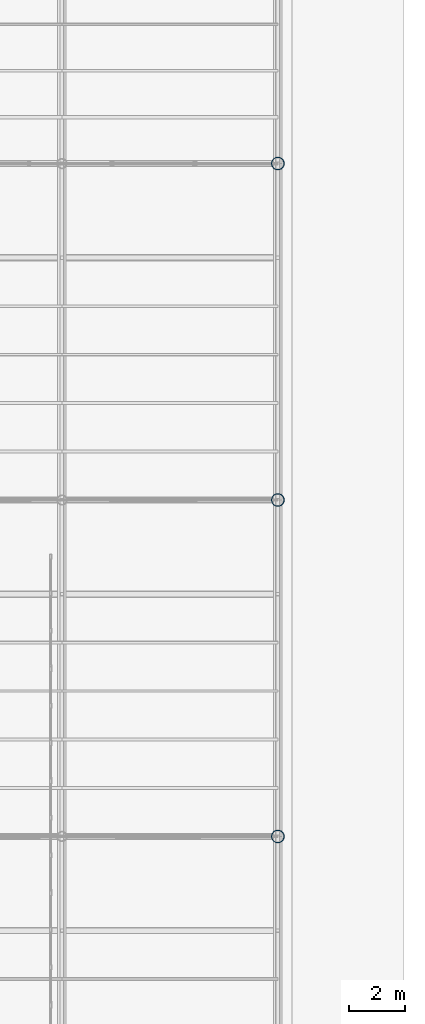
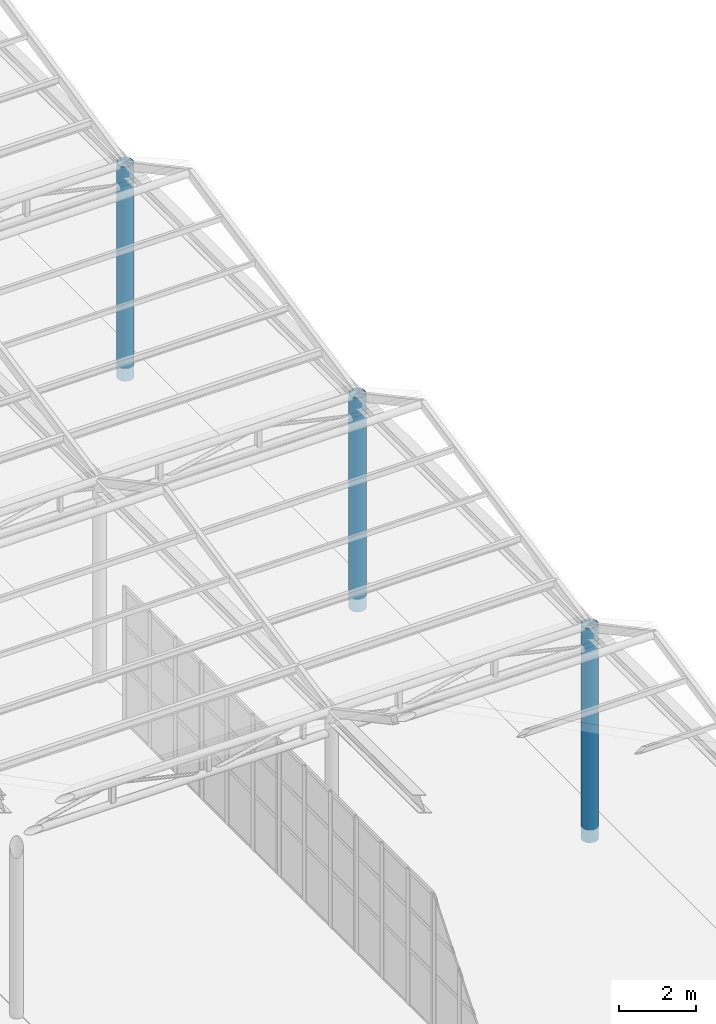
# One storey, part 16 of 118: 3 columns.
"""IFC4 building model written with IfcOpenShell, lengths in metres."""

import ifcopenshell
import ifcopenshell.guid

model = None  # the IFC model being written
_history = None  # IfcOwnerHistory: only IFC2X3 demands one
_inside = {}  # id of a spatial element -> (the spatial element, [elements in it])
_under = {}  # id of a project, library or spatial element -> (it, [spatial elements below it])
_declared = {}  # id of a project -> (the project, [libraries it declares])
_typed = {}  # id of a type object -> (the type object, [elements of that type])
_made_of = {}  # id of a material, layer set ... -> (it, [elements and type objects made of it])


def new_model(schema):
    """Start an empty IFC model of exactly this schema.

    Asked for "IFC4X3", IfcOpenShell would pick the latest addendum, in which some entities
    have other attributes; the version numbers below select the first issue.
    IFC2X3 requires an IfcOwnerHistory on every rooted entity: one is made here for all.
    """
    global model, _history
    if schema == "IFC4X3":
        model = ifcopenshell.file(schema_version=(4, 3, 0, 0))
    else:
        model = ifcopenshell.file(schema=schema)
    _inside.clear()
    _under.clear()
    _declared.clear()
    _typed.clear()
    _made_of.clear()
    _history = None
    if model.schema == "IFC2X3":
        org = make("IfcOrganization", Name="unknown")
        user = make(
            "IfcPersonAndOrganization",
            ThePerson=make("IfcPerson", FamilyName="unknown"),
            TheOrganization=org,
        )
        app = make(
            "IfcApplication",
            ApplicationDeveloper=org,
            Version="unknown",
            ApplicationFullName="unknown",
            ApplicationIdentifier="unknown",
        )
        _history = make(
            "IfcOwnerHistory",
            OwningUser=user,
            OwningApplication=app,
            ChangeAction="ADDED",
            CreationDate=0,
        )
    return model


def make(cls, **values):
    """One entity of the class cls with the attributes given. An attribute that is None is left unset."""
    return model.create_entity(
        cls, **{name: value for name, value in values.items() if value is not None}
    )


def rooted(cls, **values):
    """An entity with a GlobalId (a new one), such as an element, a storey or a relation."""
    return make(cls, GlobalId=ifcopenshell.guid.new(), OwnerHistory=_history, **values)


def si_unit(unit_type, name, prefix=None):
    """IfcSIUnit, for example si_unit("LENGTHUNIT", "METRE", prefix="MILLI")."""
    return make("IfcSIUnit", UnitType=unit_type, Prefix=prefix, Name=name)


def assignment(units):
    """IfcUnitAssignment: the units of a project."""
    return None if units is None else make("IfcUnitAssignment", Units=units)


def point(xyz):
    """IfcCartesianPoint."""
    return None if xyz is None else make("IfcCartesianPoint", Coordinates=xyz)


def direction(xyz):
    """IfcDirection."""
    return None if xyz is None else make("IfcDirection", DirectionRatios=xyz)


def frame(location, z_axis=None, x_axis=None):
    """IfcAxis2Placement3D, a coordinate frame: its origin and axes. An axis left out is left unset."""
    return make(
        "IfcAxis2Placement3D",
        Location=point(location),
        Axis=direction(z_axis),
        RefDirection=direction(x_axis),
    )


def frame_2d(location, x_axis=None):
    """IfcAxis2Placement2D, a coordinate frame in the plane: its origin and x axis."""
    return make(
        "IfcAxis2Placement2D", Location=point(location), RefDirection=direction(x_axis)
    )


def origin():
    """The frame at (0, 0, 0) with its axes left unset."""
    return frame((0.0, 0.0, 0.0))


def origin_2d():
    """The frame at (0, 0) in the plane with its x axis left unset."""
    return frame_2d((0.0, 0.0))


def place(relative_to, where):
    """IfcLocalPlacement: puts the frame where relative to a parent placement (None: the world)."""
    return make(
        "IfcLocalPlacement", PlacementRelTo=relative_to, RelativePlacement=where
    )


def context(
    kind, dimensions, precision=None, world=None, true_north=None, identifier=None
):
    """IfcGeometricRepresentationContext, for example the 3D "Model" context."""
    return make(
        "IfcGeometricRepresentationContext",
        ContextIdentifier=identifier,
        ContextType=kind,
        CoordinateSpaceDimension=dimensions,
        Precision=precision,
        WorldCoordinateSystem=world,
        TrueNorth=true_north,
    )


def subcontext(parent, identifier, kind, view, scale=None):
    """IfcGeometricRepresentationSubContext, for example "Body" below "Model"."""
    return make(
        "IfcGeometricRepresentationSubContext",
        ContextIdentifier=identifier,
        ContextType=kind,
        ParentContext=parent,
        TargetScale=scale,
        TargetView=view,
    )


def project(units=None, contexts=None):
    """IfcProject with its units and contexts."""
    return rooted(
        "IfcProject",
        Name="project",
        RepresentationContexts=contexts,
        UnitsInContext=assignment(units),
    )


def spatial(cls, under=None, at=None, **own):
    """A site, building, storey or space (cls), placed at a placement, below another one or the project."""
    s = rooted(cls, ObjectPlacement=at, **own)
    if under is not None:
        _under.setdefault(under.id(), (under, []))[1].append(s)
    return s


def profile(cls, at=None, kind="AREA", **sizes):
    """A parametric profile (cls). Its sizes go by their IFC names, for example OverallWidth=200.0."""
    return make(cls, ProfileType=kind, Position=at, **sizes)


def hollow_circle(**sizes):
    """IfcCircleHollowProfileDef."""
    return profile("IfcCircleHollowProfileDef", **sizes)


def extrude(swept, where, along, depth):
    """IfcExtrudedAreaSolid: the profile swept, set in the frame where, extruded along a direction by depth."""
    return make(
        "IfcExtrudedAreaSolid",
        SweptArea=swept,
        Position=where,
        ExtrudedDirection=direction(along),
        Depth=depth,
    )


def shape(context_of_items, identifier, shape_type, items):
    """IfcShapeRepresentation: the items that make up one representation, for example the "Body"."""
    return make(
        "IfcShapeRepresentation",
        ContextOfItems=context_of_items,
        RepresentationIdentifier=identifier,
        RepresentationType=shape_type,
        Items=items,
    )


def material(Name=None, Category=None):
    """IfcMaterial."""
    return make("IfcMaterial", Name=Name, Category=Category)


def material_profile(
    of_material, cross_section, Name=None, Category=None, Priority=None
):
    """IfcMaterialProfile: a cross section and its material."""
    return make(
        "IfcMaterialProfile",
        Name=Name,
        Material=of_material,
        Profile=cross_section,
        Priority=Priority,
        Category=Category,
    )


def profile_set(profiles, Name=None, composite=None):
    """IfcMaterialProfileSet."""
    return make(
        "IfcMaterialProfileSet",
        Name=Name,
        MaterialProfiles=profiles,
        CompositeProfile=composite,
    )


def made_of(thing, what):
    """Note that an element or type object is made of a material, layer set ...; save() writes the relation."""
    if what is not None:
        _made_of.setdefault(what.id(), (what, []))[1].append(thing)
    return thing


def type_object(cls, material=None, **own):
    """A type object (cls), such as IfcWallType, which elements share."""
    return made_of(rooted(cls, **own), material)


def element(
    cls,
    number,
    at=None,
    inside=None,
    cuts=None,
    type_object=None,
    material=None,
    context=None,
    identifier="Body",
    shape_type=None,
    held_by="IfcProductDefinitionShape",
    body=None,
    shapes=None,
    **own,
):
    """One element of the class cls, such as IfcWall. Its Tag is "e" and its number.

    at: its placement. inside: the storey or other place that contains it. cuts: it is an
    opening in that element (IfcRelVoidsElement). A single representation is given by context,
    identifier, shape_type and body (its items); several are given by shapes. held_by: the class
    of the entity that holds the representations. save() writes the other relations.
    """
    e = rooted(cls, Tag="e%d" % number, ObjectPlacement=at, **own)
    if body is not None:
        shapes = [shape(context, identifier, shape_type, body)]
    if shapes is not None:
        e.Representation = make(held_by, Representations=shapes)
    if inside is not None:
        _inside.setdefault(inside.id(), (inside, []))[1].append(e)
    if cuts is not None:
        rooted(
            "IfcRelVoidsElement", RelatingBuildingElement=cuts, RelatedOpeningElement=e
        )
    if type_object is not None:
        _typed.setdefault(type_object.id(), (type_object, []))[1].append(e)
    return made_of(e, material)


def aggregate(whole, parts):
    """IfcRelAggregates: a whole, such as a stair, and the parts it consists of."""
    return rooted("IfcRelAggregates", RelatingObject=whole, RelatedObjects=parts)


def save(model, path):
    """Write the relations noted so far, then the file.

    IfcRelAggregates (storeys below a building ...), IfcRelContainedInSpatialStructure (elements
    in a storey), IfcRelDefinesByType, IfcRelAssociatesMaterial and IfcRelDeclares: one each for
    every whole, place, type object, material and project.
    """
    for whole, parts in _under.values():
        aggregate(whole, parts)
    for where, things in _inside.values():
        rooted(
            "IfcRelContainedInSpatialStructure",
            RelatedElements=things,
            RelatingStructure=where,
        )
    for kind, things in _typed.values():
        rooted("IfcRelDefinesByType", RelatedObjects=things, RelatingType=kind)
    for what, things in _made_of.values():
        rooted("IfcRelAssociatesMaterial", RelatedObjects=things, RelatingMaterial=what)
    for by, libraries in _declared.values():
        rooted("IfcRelDeclares", RelatingContext=by, RelatedDefinitions=libraries)
    model.write(path)


model = new_model("IFC4")

# Units and contexts
model_context = context("Model", 3, precision=1e-05, world=origin(), true_north=direction((0.0, 1.0)))
body_context = subcontext(model_context, "Body", "Model", "MODEL_VIEW")
ifc_project = project(units=[si_unit("LENGTHUNIT", "METRE"), si_unit("AREAUNIT", "SQUARE_METRE"), si_unit("VOLUMEUNIT", "CUBIC_METRE"), si_unit("PLANEANGLEUNIT", "RADIAN"), si_unit("MASSUNIT", "GRAM", prefix="KILO")], contexts=[model_context])

# Site, building, storey
site_placement = place(None, origin())
site = spatial("IfcSite", under=ifc_project, at=site_placement, CompositionType="ELEMENT")
building_placement = place(site_placement, origin())
building = spatial("IfcBuilding", under=site, at=building_placement, Name="Kolvaren Corner Interchange", CompositionType="ELEMENT")
storey_placement = place(building_placement, origin())
storey = spatial("IfcBuildingStorey", under=building, at=storey_placement, Name="L01", CompositionType="ELEMENT", Elevation=0.0)

# Columns
ifc_material = material(Name="Steel S355", Category="steel")
ifc_material_profile = material_profile(ifc_material, hollow_circle(Radius=0.228515625, WallThickness=0.01611328125, at=origin_2d()), Name="CHS 457.0x16.0")
ifc_profile_set = profile_set([ifc_material_profile], Name="Steel S355")
column_type = type_object("IfcColumnType", Name="COL-CHS457", PredefinedType="COLUMN", material=ifc_profile_set)
for number, where, z_axis, x_axis, name in (
    (1, (163.5, 66.0, -0.39990234375), (0.0, 0.0, 1.0), (1.0, 0.0, 0.0), "Storey L01 Structural Column 0991"),
    (2, (163.5, 78.0, -0.39990234375), (0.0, 0.0, 1.0), (1.0, 0.0, 0.0), "Storey L01 Structural Column 0992"),
    (3, (163.5, 90.0, -0.39990234375), (0.0, 0.0, 1.0), (1.0, 0.0, 0.0), "Storey L01 Structural Column 0993"),
):
    element("IfcColumn", number, at=place(storey_placement, frame(where, z_axis=z_axis, x_axis=x_axis)), inside=storey, type_object=column_type, Name=name, PredefinedType="COLUMN", context=body_context, shape_type="SweptSolid", body=[
        extrude(hollow_circle(Radius=0.228515625, WallThickness=0.01611328125, at=origin_2d()), origin(), (0.0, 0.0, 1.0), 6.75),
    ])

save(model, "model.ifc")
